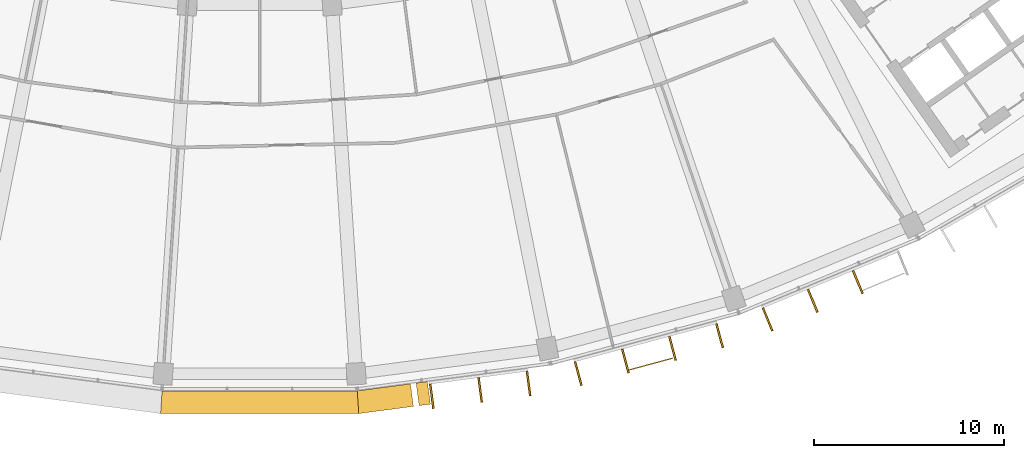
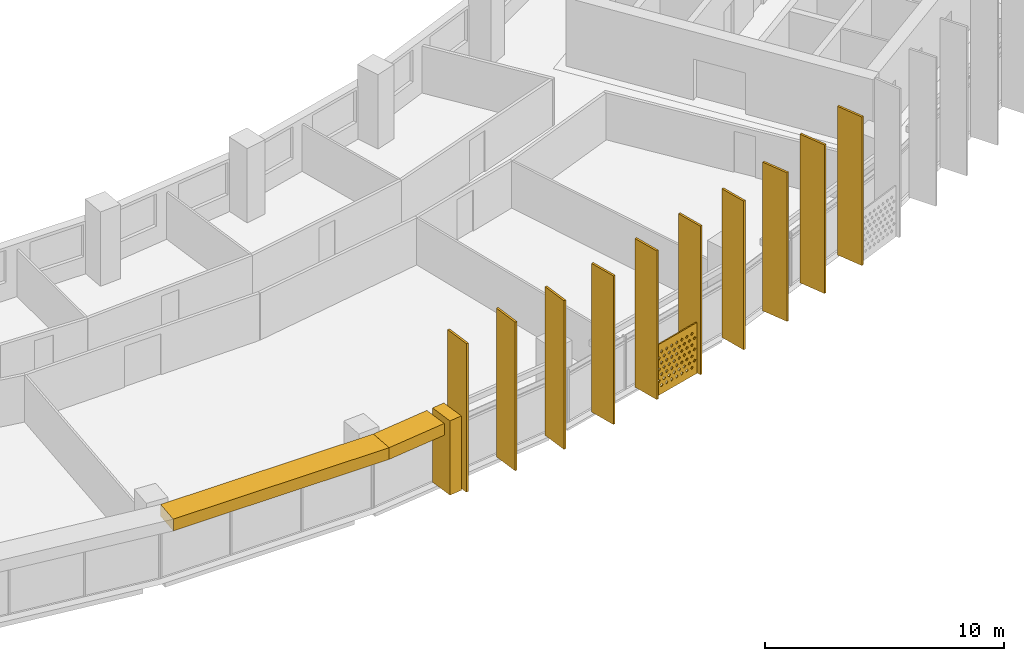
# One storey, part 26 of 28: 14 shading devices.
"""IFC4 building model written with IfcOpenShell, lengths in metres."""

from ifc_helpers import new_model, si_unit, direction, frame, origin, origin_2d, place, context, subcontext, project, spatial, polyline, rectangle, outline, extrude, material, material_profile, profile_set, type_object, element, save


model = new_model("IFC4")

# Units and contexts
model_context = context("Model", 3, precision=1e-05, world=origin(), true_north=direction((0.0, 1.0)))
body_context = subcontext(model_context, "Body", "Model", "MODEL_VIEW")
ifc_project = project(units=[si_unit("LENGTHUNIT", "METRE"), si_unit("AREAUNIT", "SQUARE_METRE"), si_unit("VOLUMEUNIT", "CUBIC_METRE"), si_unit("PLANEANGLEUNIT", "RADIAN"), si_unit("MASSUNIT", "GRAM", prefix="KILO")], contexts=[model_context])

# Site, building, storey
site_placement = place(None, origin())
site = spatial("IfcSite", under=ifc_project, at=site_placement, CompositionType="ELEMENT")
building_placement = place(site_placement, origin())
building = spatial("IfcBuilding", under=site, at=building_placement, Name="Qamariyya Broadcast Tower", CompositionType="ELEMENT")
storey_placement = place(building_placement, frame((0.0, 0.0, 218.89990234375)))
storey = spatial("IfcBuildingStorey", under=building, at=storey_placement, Name="L52", CompositionType="ELEMENT", Elevation=218.89990234375)

# Shading devices
ifc_material_1 = material(Name="Steel S355 powder coated deep red", Category="steel")
shading_device_type_1 = type_object("IfcShadingDeviceType", Name="Deep red frame, powder coated steel box section", PredefinedType="USERDEFINED", material=ifc_material_1)
shading_device_1_placement = place(storey_placement, origin())
element("IfcShadingDevice", 1, at=shading_device_1_placement, inside=storey, type_object=shading_device_type_1, Name="e-frm-B4-F2-postb-L52", ObjectType="FRAME", PredefinedType="USERDEFINED", context=body_context, shape_type="SweptSolid", body=[
    extrude(outline(polyline([(8.24658203125, -78.0732421875), (8.403076171875, -79.262939453125), (8.998046875, -79.1845703125), (8.84130859375, -77.994873046875), (8.24658203125, -78.0732421875)])), origin(), (0.0, 0.0, 1.0), 3.800048828125),
])
shading_device_2_placement = place(storey_placement, frame((0.0, 0.0, 3.2001953125)))
element("IfcShadingDevice", 2, at=shading_device_2_placement, inside=storey, type_object=shading_device_type_1, Name="e-frm-B4-F2-top1", ObjectType="FRAME", PredefinedType="USERDEFINED", context=body_context, shape_type="SweptSolid", body=[
    extrude(outline(polyline([(-5.14404296875, -78.481689453125), (-5.22265625, -79.681640625), (5.22265625, -79.681640625), (5.14404296875, -78.481689453125), (-5.14404296875, -78.481689453125)])), origin(), (0.0, 0.0, 1.0), 0.599853515625),
])
shading_device_3_placement = place(storey_placement, frame((0.0, 0.0, 3.2001953125)))
element("IfcShadingDevice", 3, at=shading_device_3_placement, inside=storey, type_object=shading_device_type_1, Name="e-frm-B4-F2-top2", ObjectType="FRAME", PredefinedType="USERDEFINED", context=body_context, shape_type="SweptSolid", body=[
    extrude(outline(polyline([(5.14404296875, -78.481689453125), (5.22265625, -79.681640625), (8.105712890625, -79.302001953125), (7.948974609375, -78.1123046875), (5.14404296875, -78.481689453125)])), origin(), (0.0, 0.0, 1.0), 0.599853515625),
])
ifc_material_2 = material(Name="Perforated glazed terracotta", Category="masonry")
ifc_material_profile_1 = material_profile(ifc_material_2, outline(polyline([(-1.199951171875, -1.300048828125), (1.199951171875, -1.300048828125), (1.199951171875, 1.300048828125), (-1.199951171875, 1.300048828125), (-1.199951171875, -1.300048828125)]), holes=[polyline([(-0.81494140625, -0.86669921875), (-0.89990234375, -0.78173828125), (-0.985107421875, -0.86669921875), (-0.89990234375, -0.95166015625), (-0.81494140625, -0.86669921875)]), polyline([(-0.514892578125, -0.86669921875), (-0.60009765625, -0.78173828125), (-0.68505859375, -0.86669921875), (-0.60009765625, -0.95166015625), (-0.514892578125, -0.86669921875)]), polyline([(-0.215087890625, -0.86669921875), (-0.300048828125, -0.78173828125), (-0.385009765625, -0.86669921875), (-0.300048828125, -0.95166015625), (-0.215087890625, -0.86669921875)]), polyline([(0.0849609375, -0.86669921875), (0.0, -0.78173828125), (-0.0849609375, -0.86669921875), (0.0, -0.95166015625), (0.0849609375, -0.86669921875)]), polyline([(0.385009765625, -0.86669921875), (0.300048828125, -0.78173828125), (0.215087890625, -0.86669921875), (0.300048828125, -0.95166015625), (0.385009765625, -0.86669921875)]), polyline([(0.68505859375, -0.86669921875), (0.60009765625, -0.78173828125), (0.514892578125, -0.86669921875), (0.60009765625, -0.95166015625), (0.68505859375, -0.86669921875)]), polyline([(0.985107421875, -0.86669921875), (0.89990234375, -0.78173828125), (0.81494140625, -0.86669921875), (0.89990234375, -0.95166015625), (0.985107421875, -0.86669921875)]), polyline([(-0.965087890625, -0.577880859375), (-1.050048828125, -0.49267578125), (-1.135009765625, -0.577880859375), (-1.050048828125, -0.662841796875), (-0.965087890625, -0.577880859375)]), polyline([(-0.6650390625, -0.577880859375), (-0.75, -0.49267578125), (-0.8349609375, -0.577880859375), (-0.75, -0.662841796875), (-0.6650390625, -0.577880859375)]), polyline([(-0.364990234375, -0.577880859375), (-0.449951171875, -0.49267578125), (-0.534912109375, -0.577880859375), (-0.449951171875, -0.662841796875), (-0.364990234375, -0.577880859375)]), polyline([(-0.06494140625, -0.577880859375), (-0.14990234375, -0.49267578125), (-0.235107421875, -0.577880859375), (-0.14990234375, -0.662841796875), (-0.06494140625, -0.577880859375)]), polyline([(0.235107421875, -0.577880859375), (0.14990234375, -0.49267578125), (0.06494140625, -0.577880859375), (0.14990234375, -0.662841796875), (0.235107421875, -0.577880859375)]), polyline([(0.534912109375, -0.577880859375), (0.449951171875, -0.49267578125), (0.364990234375, -0.577880859375), (0.449951171875, -0.662841796875), (0.534912109375, -0.577880859375)]), polyline([(0.8349609375, -0.577880859375), (0.75, -0.49267578125), (0.6650390625, -0.577880859375), (0.75, -0.662841796875), (0.8349609375, -0.577880859375)]), polyline([(1.135009765625, -0.577880859375), (1.050048828125, -0.49267578125), (0.965087890625, -0.577880859375), (1.050048828125, -0.662841796875), (1.135009765625, -0.577880859375)]), polyline([(-0.81494140625, -0.288818359375), (-0.89990234375, -0.203857421875), (-0.985107421875, -0.288818359375), (-0.89990234375, -0.373779296875), (-0.81494140625, -0.288818359375)]), polyline([(-0.514892578125, -0.288818359375), (-0.60009765625, -0.203857421875), (-0.68505859375, -0.288818359375), (-0.60009765625, -0.373779296875), (-0.514892578125, -0.288818359375)]), polyline([(-0.215087890625, -0.288818359375), (-0.300048828125, -0.203857421875), (-0.385009765625, -0.288818359375), (-0.300048828125, -0.373779296875), (-0.215087890625, -0.288818359375)]), polyline([(0.0849609375, -0.288818359375), (0.0, -0.203857421875), (-0.0849609375, -0.288818359375), (0.0, -0.373779296875), (0.0849609375, -0.288818359375)]), polyline([(0.385009765625, -0.288818359375), (0.300048828125, -0.203857421875), (0.215087890625, -0.288818359375), (0.300048828125, -0.373779296875), (0.385009765625, -0.288818359375)]), polyline([(0.68505859375, -0.288818359375), (0.60009765625, -0.203857421875), (0.514892578125, -0.288818359375), (0.60009765625, -0.373779296875), (0.68505859375, -0.288818359375)]), polyline([(0.985107421875, -0.288818359375), (0.89990234375, -0.203857421875), (0.81494140625, -0.288818359375), (0.89990234375, -0.373779296875), (0.985107421875, -0.288818359375)]), polyline([(-0.965087890625, 0.0), (-1.050048828125, 0.0849609375), (-1.135009765625, 0.0), (-1.050048828125, -0.0849609375), (-0.965087890625, 0.0)]), polyline([(-0.6650390625, 0.0), (-0.75, 0.0849609375), (-0.8349609375, 0.0), (-0.75, -0.0849609375), (-0.6650390625, 0.0)]), polyline([(-0.364990234375, 0.0), (-0.449951171875, 0.0849609375), (-0.534912109375, 0.0), (-0.449951171875, -0.0849609375), (-0.364990234375, 0.0)]), polyline([(-0.06494140625, 0.0), (-0.14990234375, 0.0849609375), (-0.235107421875, 0.0), (-0.14990234375, -0.0849609375), (-0.06494140625, 0.0)]), polyline([(0.235107421875, 0.0), (0.14990234375, 0.0849609375), (0.06494140625, 0.0), (0.14990234375, -0.0849609375), (0.235107421875, 0.0)]), polyline([(0.534912109375, 0.0), (0.449951171875, 0.0849609375), (0.364990234375, 0.0), (0.449951171875, -0.0849609375), (0.534912109375, 0.0)]), polyline([(0.8349609375, 0.0), (0.75, 0.0849609375), (0.6650390625, 0.0), (0.75, -0.0849609375), (0.8349609375, 0.0)]), polyline([(1.135009765625, 0.0), (1.050048828125, 0.0849609375), (0.965087890625, 0.0), (1.050048828125, -0.0849609375), (1.135009765625, 0.0)]), polyline([(-0.81494140625, 0.288818359375), (-0.89990234375, 0.373779296875), (-0.985107421875, 0.288818359375), (-0.89990234375, 0.203857421875), (-0.81494140625, 0.288818359375)]), polyline([(-0.514892578125, 0.288818359375), (-0.60009765625, 0.373779296875), (-0.68505859375, 0.288818359375), (-0.60009765625, 0.203857421875), (-0.514892578125, 0.288818359375)]), polyline([(-0.215087890625, 0.288818359375), (-0.300048828125, 0.373779296875), (-0.385009765625, 0.288818359375), (-0.300048828125, 0.203857421875), (-0.215087890625, 0.288818359375)]), polyline([(0.0849609375, 0.288818359375), (0.0, 0.373779296875), (-0.0849609375, 0.288818359375), (0.0, 0.203857421875), (0.0849609375, 0.288818359375)]), polyline([(0.385009765625, 0.288818359375), (0.300048828125, 0.373779296875), (0.215087890625, 0.288818359375), (0.300048828125, 0.203857421875), (0.385009765625, 0.288818359375)]), polyline([(0.68505859375, 0.288818359375), (0.60009765625, 0.373779296875), (0.514892578125, 0.288818359375), (0.60009765625, 0.203857421875), (0.68505859375, 0.288818359375)]), polyline([(0.985107421875, 0.288818359375), (0.89990234375, 0.373779296875), (0.81494140625, 0.288818359375), (0.89990234375, 0.203857421875), (0.985107421875, 0.288818359375)]), polyline([(-0.965087890625, 0.577880859375), (-1.050048828125, 0.662841796875), (-1.135009765625, 0.577880859375), (-1.050048828125, 0.49267578125), (-0.965087890625, 0.577880859375)]), polyline([(-0.6650390625, 0.577880859375), (-0.75, 0.662841796875), (-0.8349609375, 0.577880859375), (-0.75, 0.49267578125), (-0.6650390625, 0.577880859375)]), polyline([(-0.364990234375, 0.577880859375), (-0.449951171875, 0.662841796875), (-0.534912109375, 0.577880859375), (-0.449951171875, 0.49267578125), (-0.364990234375, 0.577880859375)]), polyline([(-0.06494140625, 0.577880859375), (-0.14990234375, 0.662841796875), (-0.235107421875, 0.577880859375), (-0.14990234375, 0.49267578125), (-0.06494140625, 0.577880859375)]), polyline([(0.235107421875, 0.577880859375), (0.14990234375, 0.662841796875), (0.06494140625, 0.577880859375), (0.14990234375, 0.49267578125), (0.235107421875, 0.577880859375)]), polyline([(0.534912109375, 0.577880859375), (0.449951171875, 0.662841796875), (0.364990234375, 0.577880859375), (0.449951171875, 0.49267578125), (0.534912109375, 0.577880859375)]), polyline([(0.8349609375, 0.577880859375), (0.75, 0.662841796875), (0.6650390625, 0.577880859375), (0.75, 0.49267578125), (0.8349609375, 0.577880859375)]), polyline([(1.135009765625, 0.577880859375), (1.050048828125, 0.662841796875), (0.965087890625, 0.577880859375), (1.050048828125, 0.49267578125), (1.135009765625, 0.577880859375)]), polyline([(-0.81494140625, 0.86669921875), (-0.89990234375, 0.95166015625), (-0.985107421875, 0.86669921875), (-0.89990234375, 0.78173828125), (-0.81494140625, 0.86669921875)]), polyline([(-0.514892578125, 0.86669921875), (-0.60009765625, 0.95166015625), (-0.68505859375, 0.86669921875), (-0.60009765625, 0.78173828125), (-0.514892578125, 0.86669921875)]), polyline([(-0.215087890625, 0.86669921875), (-0.300048828125, 0.95166015625), (-0.385009765625, 0.86669921875), (-0.300048828125, 0.78173828125), (-0.215087890625, 0.86669921875)]), polyline([(0.0849609375, 0.86669921875), (0.0, 0.95166015625), (-0.0849609375, 0.86669921875), (0.0, 0.78173828125), (0.0849609375, 0.86669921875)]), polyline([(0.385009765625, 0.86669921875), (0.300048828125, 0.95166015625), (0.215087890625, 0.86669921875), (0.300048828125, 0.78173828125), (0.385009765625, 0.86669921875)]), polyline([(0.68505859375, 0.86669921875), (0.60009765625, 0.95166015625), (0.514892578125, 0.86669921875), (0.60009765625, 0.78173828125), (0.68505859375, 0.86669921875)]), polyline([(0.985107421875, 0.86669921875), (0.89990234375, 0.95166015625), (0.81494140625, 0.86669921875), (0.89990234375, 0.78173828125), (0.985107421875, 0.86669921875)])]))
ifc_profile_set_1 = profile_set([ifc_material_profile_1], Name="Perforated glazed terracotta")
shading_device_type_2 = type_object("IfcShadingDeviceType", Name="Perforated terracotta screen 2400 x 2600", PredefinedType="USERDEFINED", material=ifc_profile_set_1)
shading_device_4_placement = place(storey_placement, frame((20.6064453125, -77.04345703125, 1.35009765625), z_axis=(0.260703819255, -0.965418830677, 0.0), x_axis=(0.965418830677, 0.260703819255, 0.0)))
element("IfcShadingDevice", 4, at=shading_device_4_placement, inside=storey, type_object=shading_device_type_2, Name="e-scr-L52-10-1", ObjectType="SCREEN", PredefinedType="USERDEFINED", context=body_context, shape_type="SweptSolid", body=[
    extrude(outline(polyline([(-1.199951171875, -1.300048828125), (1.199951171875, -1.300048828125), (1.199951171875, 1.300048828125), (-1.199951171875, 1.300048828125), (-1.199951171875, -1.300048828125)]), holes=[polyline([(-0.81494140625, -0.86669921875), (-0.89990234375, -0.78173828125), (-0.985107421875, -0.86669921875), (-0.89990234375, -0.95166015625), (-0.81494140625, -0.86669921875)]), polyline([(-0.514892578125, -0.86669921875), (-0.60009765625, -0.78173828125), (-0.68505859375, -0.86669921875), (-0.60009765625, -0.95166015625), (-0.514892578125, -0.86669921875)]), polyline([(-0.215087890625, -0.86669921875), (-0.300048828125, -0.78173828125), (-0.385009765625, -0.86669921875), (-0.300048828125, -0.95166015625), (-0.215087890625, -0.86669921875)]), polyline([(0.0849609375, -0.86669921875), (0.0, -0.78173828125), (-0.0849609375, -0.86669921875), (0.0, -0.95166015625), (0.0849609375, -0.86669921875)]), polyline([(0.385009765625, -0.86669921875), (0.300048828125, -0.78173828125), (0.215087890625, -0.86669921875), (0.300048828125, -0.95166015625), (0.385009765625, -0.86669921875)]), polyline([(0.68505859375, -0.86669921875), (0.60009765625, -0.78173828125), (0.514892578125, -0.86669921875), (0.60009765625, -0.95166015625), (0.68505859375, -0.86669921875)]), polyline([(0.985107421875, -0.86669921875), (0.89990234375, -0.78173828125), (0.81494140625, -0.86669921875), (0.89990234375, -0.95166015625), (0.985107421875, -0.86669921875)]), polyline([(-0.965087890625, -0.577880859375), (-1.050048828125, -0.49267578125), (-1.135009765625, -0.577880859375), (-1.050048828125, -0.662841796875), (-0.965087890625, -0.577880859375)]), polyline([(-0.6650390625, -0.577880859375), (-0.75, -0.49267578125), (-0.8349609375, -0.577880859375), (-0.75, -0.662841796875), (-0.6650390625, -0.577880859375)]), polyline([(-0.364990234375, -0.577880859375), (-0.449951171875, -0.49267578125), (-0.534912109375, -0.577880859375), (-0.449951171875, -0.662841796875), (-0.364990234375, -0.577880859375)]), polyline([(-0.06494140625, -0.577880859375), (-0.14990234375, -0.49267578125), (-0.235107421875, -0.577880859375), (-0.14990234375, -0.662841796875), (-0.06494140625, -0.577880859375)]), polyline([(0.235107421875, -0.577880859375), (0.14990234375, -0.49267578125), (0.06494140625, -0.577880859375), (0.14990234375, -0.662841796875), (0.235107421875, -0.577880859375)]), polyline([(0.534912109375, -0.577880859375), (0.449951171875, -0.49267578125), (0.364990234375, -0.577880859375), (0.449951171875, -0.662841796875), (0.534912109375, -0.577880859375)]), polyline([(0.8349609375, -0.577880859375), (0.75, -0.49267578125), (0.6650390625, -0.577880859375), (0.75, -0.662841796875), (0.8349609375, -0.577880859375)]), polyline([(1.135009765625, -0.577880859375), (1.050048828125, -0.49267578125), (0.965087890625, -0.577880859375), (1.050048828125, -0.662841796875), (1.135009765625, -0.577880859375)]), polyline([(-0.81494140625, -0.288818359375), (-0.89990234375, -0.203857421875), (-0.985107421875, -0.288818359375), (-0.89990234375, -0.373779296875), (-0.81494140625, -0.288818359375)]), polyline([(-0.514892578125, -0.288818359375), (-0.60009765625, -0.203857421875), (-0.68505859375, -0.288818359375), (-0.60009765625, -0.373779296875), (-0.514892578125, -0.288818359375)]), polyline([(-0.215087890625, -0.288818359375), (-0.300048828125, -0.203857421875), (-0.385009765625, -0.288818359375), (-0.300048828125, -0.373779296875), (-0.215087890625, -0.288818359375)]), polyline([(0.0849609375, -0.288818359375), (0.0, -0.203857421875), (-0.0849609375, -0.288818359375), (0.0, -0.373779296875), (0.0849609375, -0.288818359375)]), polyline([(0.385009765625, -0.288818359375), (0.300048828125, -0.203857421875), (0.215087890625, -0.288818359375), (0.300048828125, -0.373779296875), (0.385009765625, -0.288818359375)]), polyline([(0.68505859375, -0.288818359375), (0.60009765625, -0.203857421875), (0.514892578125, -0.288818359375), (0.60009765625, -0.373779296875), (0.68505859375, -0.288818359375)]), polyline([(0.985107421875, -0.288818359375), (0.89990234375, -0.203857421875), (0.81494140625, -0.288818359375), (0.89990234375, -0.373779296875), (0.985107421875, -0.288818359375)]), polyline([(-0.965087890625, 0.0), (-1.050048828125, 0.0849609375), (-1.135009765625, 0.0), (-1.050048828125, -0.0849609375), (-0.965087890625, 0.0)]), polyline([(-0.6650390625, 0.0), (-0.75, 0.0849609375), (-0.8349609375, 0.0), (-0.75, -0.0849609375), (-0.6650390625, 0.0)]), polyline([(-0.364990234375, 0.0), (-0.449951171875, 0.0849609375), (-0.534912109375, 0.0), (-0.449951171875, -0.0849609375), (-0.364990234375, 0.0)]), polyline([(-0.06494140625, 0.0), (-0.14990234375, 0.0849609375), (-0.235107421875, 0.0), (-0.14990234375, -0.0849609375), (-0.06494140625, 0.0)]), polyline([(0.235107421875, 0.0), (0.14990234375, 0.0849609375), (0.06494140625, 0.0), (0.14990234375, -0.0849609375), (0.235107421875, 0.0)]), polyline([(0.534912109375, 0.0), (0.449951171875, 0.0849609375), (0.364990234375, 0.0), (0.449951171875, -0.0849609375), (0.534912109375, 0.0)]), polyline([(0.8349609375, 0.0), (0.75, 0.0849609375), (0.6650390625, 0.0), (0.75, -0.0849609375), (0.8349609375, 0.0)]), polyline([(1.135009765625, 0.0), (1.050048828125, 0.0849609375), (0.965087890625, 0.0), (1.050048828125, -0.0849609375), (1.135009765625, 0.0)]), polyline([(-0.81494140625, 0.288818359375), (-0.89990234375, 0.373779296875), (-0.985107421875, 0.288818359375), (-0.89990234375, 0.203857421875), (-0.81494140625, 0.288818359375)]), polyline([(-0.514892578125, 0.288818359375), (-0.60009765625, 0.373779296875), (-0.68505859375, 0.288818359375), (-0.60009765625, 0.203857421875), (-0.514892578125, 0.288818359375)]), polyline([(-0.215087890625, 0.288818359375), (-0.300048828125, 0.373779296875), (-0.385009765625, 0.288818359375), (-0.300048828125, 0.203857421875), (-0.215087890625, 0.288818359375)]), polyline([(0.0849609375, 0.288818359375), (0.0, 0.373779296875), (-0.0849609375, 0.288818359375), (0.0, 0.203857421875), (0.0849609375, 0.288818359375)]), polyline([(0.385009765625, 0.288818359375), (0.300048828125, 0.373779296875), (0.215087890625, 0.288818359375), (0.300048828125, 0.203857421875), (0.385009765625, 0.288818359375)]), polyline([(0.68505859375, 0.288818359375), (0.60009765625, 0.373779296875), (0.514892578125, 0.288818359375), (0.60009765625, 0.203857421875), (0.68505859375, 0.288818359375)]), polyline([(0.985107421875, 0.288818359375), (0.89990234375, 0.373779296875), (0.81494140625, 0.288818359375), (0.89990234375, 0.203857421875), (0.985107421875, 0.288818359375)]), polyline([(-0.965087890625, 0.577880859375), (-1.050048828125, 0.662841796875), (-1.135009765625, 0.577880859375), (-1.050048828125, 0.49267578125), (-0.965087890625, 0.577880859375)]), polyline([(-0.6650390625, 0.577880859375), (-0.75, 0.662841796875), (-0.8349609375, 0.577880859375), (-0.75, 0.49267578125), (-0.6650390625, 0.577880859375)]), polyline([(-0.364990234375, 0.577880859375), (-0.449951171875, 0.662841796875), (-0.534912109375, 0.577880859375), (-0.449951171875, 0.49267578125), (-0.364990234375, 0.577880859375)]), polyline([(-0.06494140625, 0.577880859375), (-0.14990234375, 0.662841796875), (-0.235107421875, 0.577880859375), (-0.14990234375, 0.49267578125), (-0.06494140625, 0.577880859375)]), polyline([(0.235107421875, 0.577880859375), (0.14990234375, 0.662841796875), (0.06494140625, 0.577880859375), (0.14990234375, 0.49267578125), (0.235107421875, 0.577880859375)]), polyline([(0.534912109375, 0.577880859375), (0.449951171875, 0.662841796875), (0.364990234375, 0.577880859375), (0.449951171875, 0.49267578125), (0.534912109375, 0.577880859375)]), polyline([(0.8349609375, 0.577880859375), (0.75, 0.662841796875), (0.6650390625, 0.577880859375), (0.75, 0.49267578125), (0.8349609375, 0.577880859375)]), polyline([(1.135009765625, 0.577880859375), (1.050048828125, 0.662841796875), (0.965087890625, 0.577880859375), (1.050048828125, 0.49267578125), (1.135009765625, 0.577880859375)]), polyline([(-0.81494140625, 0.86669921875), (-0.89990234375, 0.95166015625), (-0.985107421875, 0.86669921875), (-0.89990234375, 0.78173828125), (-0.81494140625, 0.86669921875)]), polyline([(-0.514892578125, 0.86669921875), (-0.60009765625, 0.95166015625), (-0.68505859375, 0.86669921875), (-0.60009765625, 0.78173828125), (-0.514892578125, 0.86669921875)]), polyline([(-0.215087890625, 0.86669921875), (-0.300048828125, 0.95166015625), (-0.385009765625, 0.86669921875), (-0.300048828125, 0.78173828125), (-0.215087890625, 0.86669921875)]), polyline([(0.0849609375, 0.86669921875), (0.0, 0.95166015625), (-0.0849609375, 0.86669921875), (0.0, 0.78173828125), (0.0849609375, 0.86669921875)]), polyline([(0.385009765625, 0.86669921875), (0.300048828125, 0.95166015625), (0.215087890625, 0.86669921875), (0.300048828125, 0.78173828125), (0.385009765625, 0.86669921875)]), polyline([(0.68505859375, 0.86669921875), (0.60009765625, 0.95166015625), (0.514892578125, 0.86669921875), (0.60009765625, 0.78173828125), (0.68505859375, 0.86669921875)]), polyline([(0.985107421875, 0.86669921875), (0.89990234375, 0.95166015625), (0.81494140625, 0.86669921875), (0.89990234375, 0.78173828125), (0.985107421875, 0.86669921875)])]), origin(), (0.0, 0.0, 1.0), 0.059814453125),
])
ifc_material_3 = material(Name="Glazed terracotta", Category="masonry")
ifc_material_profile_2 = material_profile(ifc_material_3, rectangle(XDim=1.300048828125, YDim=0.10009765625, at=origin_2d()))
ifc_profile_set_2 = profile_set([ifc_material_profile_2], Name="Glazed terracotta")
shading_device_type_3 = type_object("IfcShadingDeviceType", Name="Terracotta fin 100 x 1300", PredefinedType="USERDEFINED", material=ifc_profile_set_2)
for number, where, z_axis, x_axis, name in (
    (5, (9.0732421875, -78.771240234375, 0.0), (0.0, 0.0, 1.0), (0.13052619222, -0.991444861374, 0.0), "e-fin-L52-09-1"),
    (6, (11.623291015625, -78.435546875, 0.0), (0.0, 0.0, 1.0), (0.13052619222, -0.991444861374, 0.0), "e-fin-L52-09-2"),
    (7, (14.17333984375, -78.099853515625, 0.0), (0.0, 0.0, 1.0), (0.13052619222, -0.991444861374, 0.0), "e-fin-L52-09-3"),
    (8, (16.79296875, -77.57861328125, 0.0), (0.0, 0.0, 1.0), (0.258819045103, -0.965925826289, 0.0), "e-fin-L52-10-0"),
    (9, (19.27734375, -76.9130859375, 0.0), (0.0, 0.0, 1.0), (0.258819045103, -0.965925826289, 0.0), "e-fin-L52-10-1"),
    (10, (21.76171875, -76.247314453125, 0.0), (0.0, 0.0, 1.0), (0.258819045103, -0.965925826289, 0.0), "e-fin-L52-10-2"),
    (11, (24.24609375, -75.58154296875, 0.0), (0.0, 0.0, 1.0), (0.258819045103, -0.965925826289, 0.0), "e-fin-L52-10-3"),
    (12, (26.775390625, -74.72314453125, 0.0), (0.0, 0.0, 1.0), (0.382683432365, -0.923879532511, 0.0), "e-fin-L52-11-0"),
    (13, (29.151611328125, -73.73876953125, 0.0), (0.0, 0.0, 1.0), (0.382683432365, -0.923879532511, 0.0), "e-fin-L52-11-1"),
    (14, (31.52783203125, -72.754638671875, 0.0), (0.0, 0.0, 1.0), (0.382683432365, -0.923879532511, 0.0), "e-fin-L52-11-2"),
):
    element("IfcShadingDevice", number, at=place(storey_placement, frame(where, z_axis=z_axis, x_axis=x_axis)), inside=storey, type_object=shading_device_type_3, Name=name, ObjectType="FIN", PredefinedType="USERDEFINED", context=body_context, shape_type="SweptSolid", body=[
        extrude(rectangle(XDim=1.300048828125, YDim=0.10009765625, at=origin_2d()), origin(), (0.0, 0.0, 1.0), 7.60009765625),
    ])

save(model, "model.ifc")
